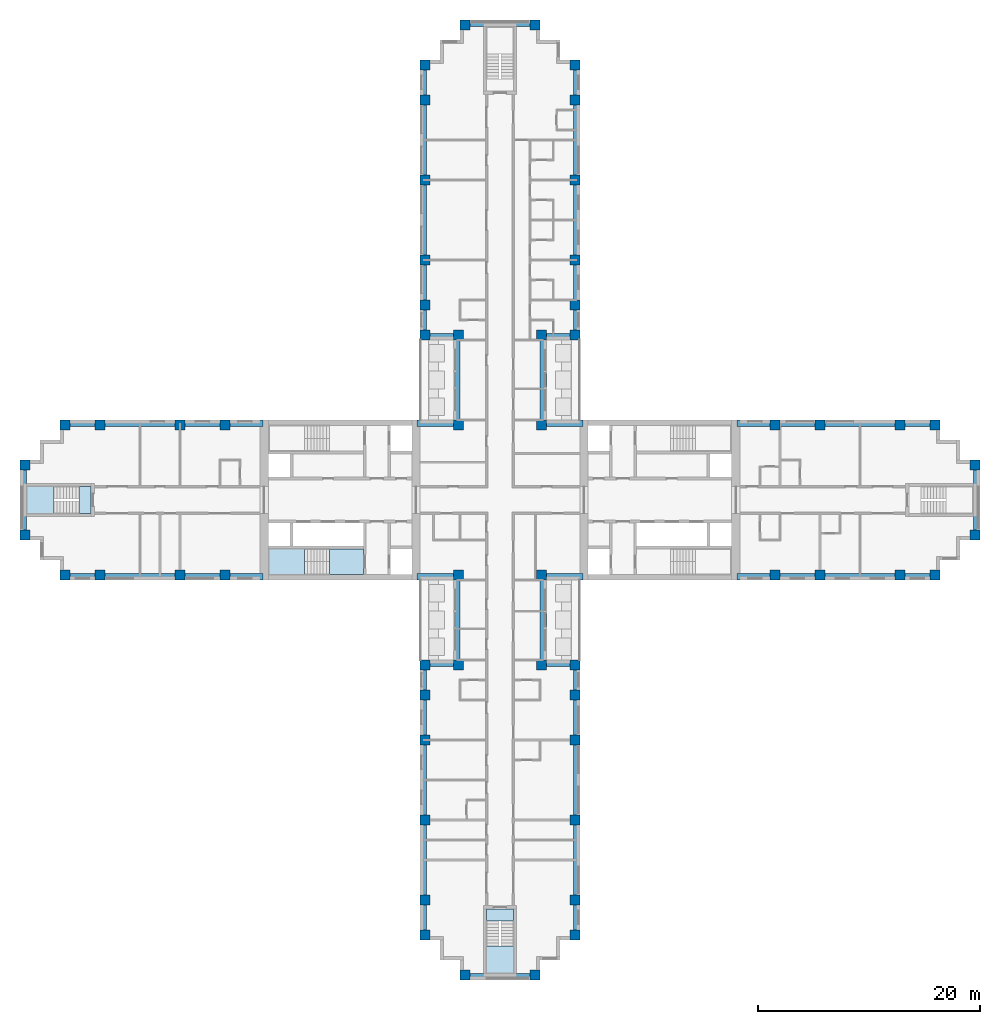
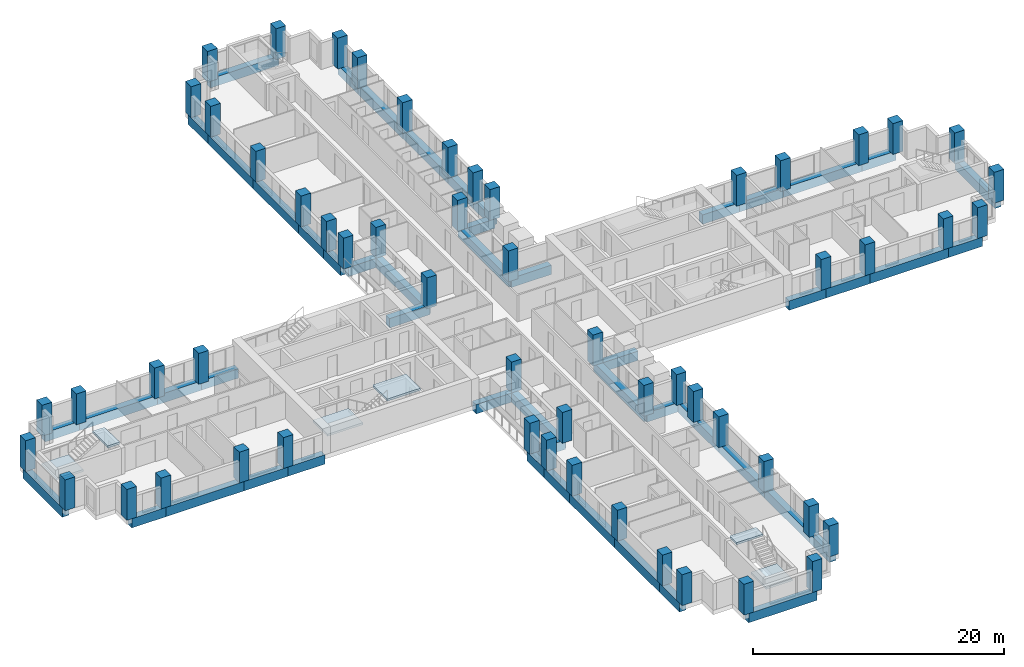
# One storey, part 1 of 15: 56 columns, 52 beams, 6 slabs, 3 elements without a shape of their own.
"""IFC4 building model written with IfcOpenShell, lengths in metres."""

from ifc_helpers import new_model, si_unit, direction, frame, origin, origin_2d, place, context, subcontext, project, spatial, polyline, rectangle, outline, extrude, material, layer, layer_set, material_profile, profile_set, type_object, element, aggregate, save


model = new_model("IFC4")

# Units and contexts
model_context = context("Model", 3, precision=1e-05, world=origin(), true_north=direction((0.0, 1.0)))
body_context = subcontext(model_context, "Body", "Model", "MODEL_VIEW")
ifc_project = project(units=[si_unit("LENGTHUNIT", "METRE"), si_unit("AREAUNIT", "SQUARE_METRE"), si_unit("VOLUMEUNIT", "CUBIC_METRE"), si_unit("PLANEANGLEUNIT", "RADIAN"), si_unit("MASSUNIT", "GRAM", prefix="KILO")], contexts=[model_context])

# Site, building, storey
site_placement = place(None, origin())
site = spatial("IfcSite", under=ifc_project, at=site_placement, CompositionType="ELEMENT")
building_placement = place(site_placement, origin())
building = spatial("IfcBuilding", under=site, at=building_placement, Name="Fustian Cross Tower", CompositionType="ELEMENT")
storey_placement = place(building_placement, frame((0.0, 0.0, 41.699951171875)))
storey = spatial("IfcBuildingStorey", under=building, at=storey_placement, Name="L12", CompositionType="ELEMENT", Elevation=41.699951171875)

# Columns
ifc_material_1 = material(Name="Concrete C70/85", Category="concrete")
ifc_material_profile_1 = material_profile(ifc_material_1, rectangle(XDim=0.89990234375, YDim=0.89990234375, at=origin_2d()), Name="RC 900x900")
ifc_profile_set_1 = profile_set([ifc_material_profile_1], Name="Concrete C70/85")
column_type = type_object("IfcColumnType", Name="COLUMN RC 900x900 C70/85", PredefinedType="COLUMN", material=ifc_profile_set_1)
for number, where, z_axis, x_axis, name in (
    (1, (-42.75, -3.14990234375, 0.0), (0.0, 0.0, 1.0), (1.0, 0.0, 0.0), "COLUMN 001"),
    (2, (-42.75, 3.14990234375, 0.0), (0.0, 0.0, 1.0), (1.0, 0.0, 0.0), "COLUMN 002"),
    (3, (-39.14990234375, -6.75, 0.0), (0.0, 0.0, 1.0), (1.0, 0.0, 0.0), "COLUMN 003"),
    (4, (-39.14990234375, 6.75, 0.0), (0.0, 0.0, 1.0), (1.0, 0.0, 0.0), "COLUMN 004"),
    (5, (-36.0, -6.75, 0.0), (0.0, 0.0, 1.0), (1.0, 0.0, 0.0), "COLUMN 005"),
    (6, (-36.0, 6.75, 0.0), (0.0, 0.0, 1.0), (1.0, 0.0, 0.0), "COLUMN 006"),
    (7, (-28.800048828125, -6.75, 0.0), (0.0, 0.0, 1.0), (1.0, 0.0, 0.0), "COLUMN 007"),
    (8, (-28.800048828125, 6.75, 0.0), (0.0, 0.0, 1.0), (1.0, 0.0, 0.0), "COLUMN 010"),
    (9, (-24.75, -6.75, 0.0), (0.0, 0.0, 1.0), (1.0, 0.0, 0.0), "COLUMN 011"),
    (10, (-24.75, 6.75, 0.0), (0.0, 0.0, 1.0), (1.0, 0.0, 0.0), "COLUMN 012"),
    (11, (-6.75, -39.14990234375, 0.0), (0.0, 0.0, 1.0), (1.0, 0.0, 0.0), "COLUMN 013"),
    (12, (-6.75, -36.0, 0.0), (0.0, 0.0, 1.0), (1.0, 0.0, 0.0), "COLUMN 014"),
    (13, (-6.75, -28.800048828125, 0.0), (0.0, 0.0, 1.0), (1.0, 0.0, 0.0), "COLUMN 015"),
    (14, (-6.75, -21.60009765625, 0.0), (0.0, 0.0, 1.0), (1.0, 0.0, 0.0), "COLUMN 016"),
    (15, (-6.75, -17.550048828125, 0.0), (0.0, 0.0, 1.0), (1.0, 0.0, 0.0), "COLUMN 017"),
    (16, (-6.75, -14.85009765625, 0.0), (0.0, 0.0, 1.0), (1.0, 0.0, 0.0), "COLUMN 018"),
    (17, (-6.75, 14.85009765625, 0.0), (0.0, 0.0, 1.0), (1.0, 0.0, 0.0), "COLUMN 019"),
    (18, (-6.75, 17.550048828125, 0.0), (0.0, 0.0, 1.0), (1.0, 0.0, 0.0), "COLUMN 020"),
    (19, (-6.75, 21.60009765625, 0.0), (0.0, 0.0, 1.0), (1.0, 0.0, 0.0), "COLUMN 021"),
    (20, (-6.75, 28.800048828125, 0.0), (0.0, 0.0, 1.0), (1.0, 0.0, 0.0), "COLUMN 022"),
    (21, (-6.75, 36.0, 0.0), (0.0, 0.0, 1.0), (1.0, 0.0, 0.0), "COLUMN 023"),
    (22, (-6.75, 39.14990234375, 0.0), (0.0, 0.0, 1.0), (1.0, 0.0, 0.0), "COLUMN 024"),
    (23, (-3.75, -14.85009765625, 0.0), (0.0, 0.0, 1.0), (1.0, 0.0, 0.0), "COLUMN 025"),
    (24, (-3.75, -6.75, 0.0), (0.0, 0.0, 1.0), (1.0, 0.0, 0.0), "COLUMN 026"),
    (25, (-3.75, 6.75, 0.0), (0.0, 0.0, 1.0), (1.0, 0.0, 0.0), "COLUMN 027"),
    (26, (-3.75, 14.85009765625, 0.0), (0.0, 0.0, 1.0), (1.0, 0.0, 0.0), "COLUMN 028"),
    (27, (-3.14990234375, -42.75, 0.0), (0.0, 0.0, 1.0), (1.0, 0.0, 0.0), "COLUMN 029"),
    (28, (-3.14990234375, 42.75, 0.0), (0.0, 0.0, 1.0), (1.0, 0.0, 0.0), "COLUMN 032"),
    (29, (3.14990234375, -42.75, 0.0), (0.0, 0.0, 1.0), (1.0, 0.0, 0.0), "COLUMN 033"),
    (30, (3.14990234375, 42.75, 0.0), (0.0, 0.0, 1.0), (1.0, 0.0, 0.0), "COLUMN 036"),
    (31, (3.75, -14.85009765625, 0.0), (0.0, 0.0, 1.0), (1.0, 0.0, 0.0), "COLUMN 037"),
    (32, (3.75, -6.75, 0.0), (0.0, 0.0, 1.0), (1.0, 0.0, 0.0), "COLUMN 038"),
    (33, (3.75, 6.75, 0.0), (0.0, 0.0, 1.0), (1.0, 0.0, 0.0), "COLUMN 039"),
    (34, (3.75, 14.85009765625, 0.0), (0.0, 0.0, 1.0), (1.0, 0.0, 0.0), "COLUMN 040"),
    (35, (6.75, -39.14990234375, 0.0), (0.0, 0.0, 1.0), (1.0, 0.0, 0.0), "COLUMN 041"),
    (36, (6.75, -36.0, 0.0), (0.0, 0.0, 1.0), (1.0, 0.0, 0.0), "COLUMN 042"),
    (37, (6.75, -28.800048828125, 0.0), (0.0, 0.0, 1.0), (1.0, 0.0, 0.0), "COLUMN 043"),
    (38, (6.75, -21.60009765625, 0.0), (0.0, 0.0, 1.0), (1.0, 0.0, 0.0), "COLUMN 044"),
    (39, (6.75, -17.550048828125, 0.0), (0.0, 0.0, 1.0), (1.0, 0.0, 0.0), "COLUMN 045"),
    (40, (6.75, -14.85009765625, 0.0), (0.0, 0.0, 1.0), (1.0, 0.0, 0.0), "COLUMN 046"),
    (41, (6.75, 14.85009765625, 0.0), (0.0, 0.0, 1.0), (1.0, 0.0, 0.0), "COLUMN 047"),
    (42, (6.75, 17.550048828125, 0.0), (0.0, 0.0, 1.0), (1.0, 0.0, 0.0), "COLUMN 048"),
    (43, (6.75, 21.60009765625, 0.0), (0.0, 0.0, 1.0), (1.0, 0.0, 0.0), "COLUMN 049"),
    (44, (6.75, 28.800048828125, 0.0), (0.0, 0.0, 1.0), (1.0, 0.0, 0.0), "COLUMN 050"),
    (45, (6.75, 36.0, 0.0), (0.0, 0.0, 1.0), (1.0, 0.0, 0.0), "COLUMN 051"),
    (46, (6.75, 39.14990234375, 0.0), (0.0, 0.0, 1.0), (1.0, 0.0, 0.0), "COLUMN 052"),
    (47, (24.75, -6.75, 0.0), (0.0, 0.0, 1.0), (1.0, 0.0, 0.0), "COLUMN 053"),
    (48, (24.75, 6.75, 0.0), (0.0, 0.0, 1.0), (1.0, 0.0, 0.0), "COLUMN 054"),
    (49, (28.800048828125, -6.75, 0.0), (0.0, 0.0, 1.0), (1.0, 0.0, 0.0), "COLUMN 055"),
    (50, (28.800048828125, 6.75, 0.0), (0.0, 0.0, 1.0), (1.0, 0.0, 0.0), "COLUMN 058"),
    (51, (36.0, -6.75, 0.0), (0.0, 0.0, 1.0), (1.0, 0.0, 0.0), "COLUMN 059"),
    (52, (36.0, 6.75, 0.0), (0.0, 0.0, 1.0), (1.0, 0.0, 0.0), "COLUMN 060"),
    (53, (39.14990234375, -6.75, 0.0), (0.0, 0.0, 1.0), (1.0, 0.0, 0.0), "COLUMN 061"),
    (54, (39.14990234375, 6.75, 0.0), (0.0, 0.0, 1.0), (1.0, 0.0, 0.0), "COLUMN 062"),
    (55, (42.75, -3.14990234375, 0.0), (0.0, 0.0, 1.0), (1.0, 0.0, 0.0), "COLUMN 063"),
    (56, (42.75, 3.14990234375, 0.0), (0.0, 0.0, 1.0), (1.0, 0.0, 0.0), "COLUMN 064"),
):
    element("IfcColumn", number, at=place(storey_placement, frame(where, z_axis=z_axis, x_axis=x_axis)), inside=storey, type_object=column_type, Name=name, PredefinedType="COLUMN", context=body_context, shape_type="SweptSolid", body=[
        extrude(rectangle(XDim=0.89990234375, YDim=0.89990234375, at=origin_2d()), origin(), (0.0, 0.0, 1.0), 3.0),
    ])

# Beams
ifc_material_2 = material(Name="Concrete C50/60", Category="concrete")
ifc_material_profile_2 = material_profile(ifc_material_2, rectangle(XDim=0.60009765625, YDim=0.89990234375, at=origin_2d()), Name="RC 600x900")
ifc_profile_set_2 = profile_set([ifc_material_profile_2], Name="Concrete C50/60")
beam_type = type_object("IfcBeamType", Name="EDGE BEAM RC 600x900 C50/60", PredefinedType="SPANDREL", material=ifc_profile_set_2)
beam_1_placement = place(storey_placement, frame((21.35009765625, -6.89990234375, -0.449951171875), z_axis=(1.0, 0.0, 0.0), x_axis=(0.0, 1.0, 0.0)))
element("IfcBeam", 57, at=beam_1_placement, inside=storey, type_object=beam_type, Name="EDGE BEAM L12-01", PredefinedType="SPANDREL", context=body_context, shape_type="SweptSolid", body=[
    extrude(rectangle(XDim=0.60009765625, YDim=0.89990234375, at=origin_2d()), origin(), (0.0, 0.0, 1.0), 3.39990234375),
])
beam_2_placement = place(storey_placement, frame((24.75, -6.89990234375, -0.449951171875), z_axis=(1.0, 0.0, 0.0), x_axis=(0.0, 1.0, 0.0)))
element("IfcBeam", 58, at=beam_2_placement, inside=storey, type_object=beam_type, Name="EDGE BEAM L12-02", PredefinedType="SPANDREL", context=body_context, shape_type="SweptSolid", body=[
    extrude(rectangle(XDim=0.60009765625, YDim=0.89990234375, at=origin_2d()), origin(), (0.0, 0.0, 1.0), 4.050048828125),
])
beam_3_placement = place(storey_placement, frame((28.800048828125, -6.89990234375, -0.449951171875), z_axis=(1.0, 0.0, 0.0), x_axis=(0.0, 1.0, 0.0)))
element("IfcBeam", 59, at=beam_3_placement, inside=storey, type_object=beam_type, Name="EDGE BEAM L12-03", PredefinedType="SPANDREL", context=body_context, shape_type="SweptSolid", body=[
    extrude(rectangle(XDim=0.60009765625, YDim=0.89990234375, at=origin_2d()), origin(), (0.0, 0.0, 1.0), 7.199951171875),
])
beam_4_placement = place(storey_placement, frame((36.0, -6.89990234375, -0.449951171875), z_axis=(1.0, 0.0, 0.0), x_axis=(0.0, 1.0, 0.0)))
element("IfcBeam", 60, at=beam_4_placement, inside=storey, type_object=beam_type, Name="EDGE BEAM L12-04", PredefinedType="SPANDREL", context=body_context, shape_type="SweptSolid", body=[
    extrude(rectangle(XDim=0.60009765625, YDim=0.89990234375, at=origin_2d()), origin(), (0.0, 0.0, 1.0), 3.14990234375),
])
beam_5_placement = place(storey_placement, frame((42.89990234375, -3.14990234375, -0.449951171875), z_axis=(0.0, 1.0, 0.0), x_axis=(-1.0, 0.0, 0.0)))
element("IfcBeam", 61, at=beam_5_placement, inside=storey, type_object=beam_type, Name="EDGE BEAM L12-05", PredefinedType="SPANDREL", context=body_context, shape_type="SweptSolid", body=[
    extrude(rectangle(XDim=0.60009765625, YDim=0.89990234375, at=origin_2d()), origin(), (0.0, 0.0, 1.0), 6.2998046875),
])
beam_6_placement = place(storey_placement, frame((39.14990234375, 6.89990234375, -0.449951171875), z_axis=(-1.0, 0.0, 0.0), x_axis=(0.0, -1.0, 0.0)))
element("IfcBeam", 62, at=beam_6_placement, inside=storey, type_object=beam_type, Name="EDGE BEAM L12-06", PredefinedType="SPANDREL", context=body_context, shape_type="SweptSolid", body=[
    extrude(rectangle(XDim=0.60009765625, YDim=0.89990234375, at=origin_2d()), origin(), (0.0, 0.0, 1.0), 3.14990234375),
])
beam_7_placement = place(storey_placement, frame((36.0, 6.89990234375, -0.449951171875), z_axis=(-1.0, 0.0, 0.0), x_axis=(0.0, -1.0, 0.0)))
element("IfcBeam", 63, at=beam_7_placement, inside=storey, type_object=beam_type, Name="EDGE BEAM L12-07", PredefinedType="SPANDREL", context=body_context, shape_type="SweptSolid", body=[
    extrude(rectangle(XDim=0.60009765625, YDim=0.89990234375, at=origin_2d()), origin(), (0.0, 0.0, 1.0), 7.199951171875),
])
beam_8_placement = place(storey_placement, frame((28.800048828125, 6.89990234375, -0.449951171875), z_axis=(-1.0, 0.0, 0.0), x_axis=(0.0, -1.0, 0.0)))
element("IfcBeam", 64, at=beam_8_placement, inside=storey, type_object=beam_type, Name="EDGE BEAM L12-08", PredefinedType="SPANDREL", context=body_context, shape_type="SweptSolid", body=[
    extrude(rectangle(XDim=0.60009765625, YDim=0.89990234375, at=origin_2d()), origin(), (0.0, 0.0, 1.0), 4.050048828125),
])
beam_9_placement = place(storey_placement, frame((24.75, 6.89990234375, -0.449951171875), z_axis=(-1.0, 0.0, 0.0), x_axis=(0.0, -1.0, 0.0)))
element("IfcBeam", 65, at=beam_9_placement, inside=storey, type_object=beam_type, Name="EDGE BEAM L12-09", PredefinedType="SPANDREL", context=body_context, shape_type="SweptSolid", body=[
    extrude(rectangle(XDim=0.60009765625, YDim=0.89990234375, at=origin_2d()), origin(), (0.0, 0.0, 1.0), 3.39990234375),
])
beam_10_placement = place(storey_placement, frame((7.449951171875, 6.89990234375, -0.449951171875), z_axis=(-1.0, 0.0, 0.0), x_axis=(0.0, -1.0, 0.0)))
element("IfcBeam", 66, at=beam_10_placement, inside=storey, type_object=beam_type, Name="EDGE BEAM L12-10", PredefinedType="SPANDREL", context=body_context, shape_type="SweptSolid", body=[
    extrude(rectangle(XDim=0.60009765625, YDim=0.89990234375, at=origin_2d()), origin(), (0.0, 0.0, 1.0), 3.699951171875),
])
beam_11_placement = place(storey_placement, frame((3.89990234375, 6.75, -0.449951171875), z_axis=(0.0, 1.0, 0.0), x_axis=(-1.0, 0.0, 0.0)))
element("IfcBeam", 67, at=beam_11_placement, inside=storey, type_object=beam_type, Name="EDGE BEAM L12-11", PredefinedType="SPANDREL", context=body_context, shape_type="SweptSolid", body=[
    extrude(rectangle(XDim=0.60009765625, YDim=0.89990234375, at=origin_2d()), origin(), (0.0, 0.0, 1.0), 8.10009765625),
])
beam_12_placement = place(storey_placement, frame((3.75, 14.699951171875, -0.449951171875), z_axis=(1.0, 0.0, 0.0), x_axis=(0.0, 1.0, 0.0)))
element("IfcBeam", 68, at=beam_12_placement, inside=storey, type_object=beam_type, Name="EDGE BEAM L12-12", PredefinedType="SPANDREL", context=body_context, shape_type="SweptSolid", body=[
    extrude(rectangle(XDim=0.60009765625, YDim=0.89990234375, at=origin_2d()), origin(), (0.0, 0.0, 1.0), 3.0),
])
beam_13_placement = place(storey_placement, frame((6.89990234375, 14.85009765625, -0.449951171875), z_axis=(0.0, 1.0, 0.0), x_axis=(-1.0, 0.0, 0.0)))
element("IfcBeam", 69, at=beam_13_placement, inside=storey, type_object=beam_type, Name="EDGE BEAM L12-13", PredefinedType="SPANDREL", context=body_context, shape_type="SweptSolid", body=[
    extrude(rectangle(XDim=0.60009765625, YDim=0.89990234375, at=origin_2d()), origin(), (0.0, 0.0, 1.0), 2.699951171875),
])
beam_14_placement = place(storey_placement, frame((6.89990234375, 17.550048828125, -0.449951171875), z_axis=(0.0, 1.0, 0.0), x_axis=(-1.0, 0.0, 0.0)))
element("IfcBeam", 70, at=beam_14_placement, inside=storey, type_object=beam_type, Name="EDGE BEAM L12-14", PredefinedType="SPANDREL", context=body_context, shape_type="SweptSolid", body=[
    extrude(rectangle(XDim=0.60009765625, YDim=0.89990234375, at=origin_2d()), origin(), (0.0, 0.0, 1.0), 4.050048828125),
])
for number, where, z_axis, x_axis, name in (
    (71, (6.89990234375, 21.60009765625, -0.449951171875), (0.0, 1.0, 0.0), (-1.0, 0.0, 0.0), "EDGE BEAM L12-15"),
    (72, (6.89990234375, 28.800048828125, -0.449951171875), (0.0, 1.0, 0.0), (-1.0, 0.0, 0.0), "EDGE BEAM L12-16"),
):
    element("IfcBeam", number, at=place(storey_placement, frame(where, z_axis=z_axis, x_axis=x_axis)), inside=storey, type_object=beam_type, Name=name, PredefinedType="SPANDREL", context=body_context, shape_type="SweptSolid", body=[
        extrude(rectangle(XDim=0.60009765625, YDim=0.89990234375, at=origin_2d()), origin(), (0.0, 0.0, 1.0), 7.199951171875),
    ])
beam_15_placement = place(storey_placement, frame((6.89990234375, 36.0, -0.449951171875), z_axis=(0.0, 1.0, 0.0), x_axis=(-1.0, 0.0, 0.0)))
element("IfcBeam", 73, at=beam_15_placement, inside=storey, type_object=beam_type, Name="EDGE BEAM L12-17", PredefinedType="SPANDREL", context=body_context, shape_type="SweptSolid", body=[
    extrude(rectangle(XDim=0.60009765625, YDim=0.89990234375, at=origin_2d()), origin(), (0.0, 0.0, 1.0), 3.14990234375),
])
beam_16_placement = place(storey_placement, frame((3.14990234375, 42.89990234375, -0.449951171875), z_axis=(-1.0, 0.0, 0.0), x_axis=(0.0, -1.0, 0.0)))
element("IfcBeam", 74, at=beam_16_placement, inside=storey, type_object=beam_type, Name="EDGE BEAM L12-18", PredefinedType="SPANDREL", context=body_context, shape_type="SweptSolid", body=[
    extrude(rectangle(XDim=0.60009765625, YDim=0.89990234375, at=origin_2d()), origin(), (0.0, 0.0, 1.0), 6.2998046875),
])
beam_17_placement = place(storey_placement, frame((-6.89990234375, 39.14990234375, -0.449951171875), z_axis=(0.0, -1.0, 0.0), x_axis=(1.0, 0.0, 0.0)))
element("IfcBeam", 75, at=beam_17_placement, inside=storey, type_object=beam_type, Name="EDGE BEAM L12-19", PredefinedType="SPANDREL", context=body_context, shape_type="SweptSolid", body=[
    extrude(rectangle(XDim=0.60009765625, YDim=0.89990234375, at=origin_2d()), origin(), (0.0, 0.0, 1.0), 3.14990234375),
])
for number, where, z_axis, x_axis, name in (
    (76, (-6.89990234375, 36.0, -0.449951171875), (0.0, -1.0, 0.0), (1.0, 0.0, 0.0), "EDGE BEAM L12-20"),
    (77, (-6.89990234375, 28.800048828125, -0.449951171875), (0.0, -1.0, 0.0), (1.0, 0.0, 0.0), "EDGE BEAM L12-21"),
):
    element("IfcBeam", number, at=place(storey_placement, frame(where, z_axis=z_axis, x_axis=x_axis)), inside=storey, type_object=beam_type, Name=name, PredefinedType="SPANDREL", context=body_context, shape_type="SweptSolid", body=[
        extrude(rectangle(XDim=0.60009765625, YDim=0.89990234375, at=origin_2d()), origin(), (0.0, 0.0, 1.0), 7.199951171875),
    ])
beam_18_placement = place(storey_placement, frame((-6.89990234375, 21.60009765625, -0.449951171875), z_axis=(0.0, -1.0, 0.0), x_axis=(1.0, 0.0, 0.0)))
element("IfcBeam", 78, at=beam_18_placement, inside=storey, type_object=beam_type, Name="EDGE BEAM L12-22", PredefinedType="SPANDREL", context=body_context, shape_type="SweptSolid", body=[
    extrude(rectangle(XDim=0.60009765625, YDim=0.89990234375, at=origin_2d()), origin(), (0.0, 0.0, 1.0), 4.050048828125),
])
beam_19_placement = place(storey_placement, frame((-6.89990234375, 17.550048828125, -0.449951171875), z_axis=(0.0, -1.0, 0.0), x_axis=(1.0, 0.0, 0.0)))
element("IfcBeam", 79, at=beam_19_placement, inside=storey, type_object=beam_type, Name="EDGE BEAM L12-23", PredefinedType="SPANDREL", context=body_context, shape_type="SweptSolid", body=[
    extrude(rectangle(XDim=0.60009765625, YDim=0.89990234375, at=origin_2d()), origin(), (0.0, 0.0, 1.0), 2.699951171875),
])
beam_20_placement = place(storey_placement, frame((-6.75, 14.699951171875, -0.449951171875), z_axis=(1.0, 0.0, 0.0), x_axis=(0.0, 1.0, 0.0)))
element("IfcBeam", 80, at=beam_20_placement, inside=storey, type_object=beam_type, Name="EDGE BEAM L12-24", PredefinedType="SPANDREL", context=body_context, shape_type="SweptSolid", body=[
    extrude(rectangle(XDim=0.60009765625, YDim=0.89990234375, at=origin_2d()), origin(), (0.0, 0.0, 1.0), 3.0),
])
beam_21_placement = place(storey_placement, frame((-3.89990234375, 14.85009765625, -0.449951171875), z_axis=(0.0, -1.0, 0.0), x_axis=(1.0, 0.0, 0.0)))
element("IfcBeam", 81, at=beam_21_placement, inside=storey, type_object=beam_type, Name="EDGE BEAM L12-25", PredefinedType="SPANDREL", context=body_context, shape_type="SweptSolid", body=[
    extrude(rectangle(XDim=0.60009765625, YDim=0.89990234375, at=origin_2d()), origin(), (0.0, 0.0, 1.0), 8.10009765625),
])
beam_22_placement = place(storey_placement, frame((-3.75, 6.89990234375, -0.449951171875), z_axis=(-1.0, 0.0, 0.0), x_axis=(0.0, -1.0, 0.0)))
element("IfcBeam", 82, at=beam_22_placement, inside=storey, type_object=beam_type, Name="EDGE BEAM L12-26", PredefinedType="SPANDREL", context=body_context, shape_type="SweptSolid", body=[
    extrude(rectangle(XDim=0.60009765625, YDim=0.89990234375, at=origin_2d()), origin(), (0.0, 0.0, 1.0), 3.699951171875),
])
beam_23_placement = place(storey_placement, frame((-21.35009765625, 6.89990234375, -0.449951171875), z_axis=(-1.0, 0.0, 0.0), x_axis=(0.0, -1.0, 0.0)))
element("IfcBeam", 83, at=beam_23_placement, inside=storey, type_object=beam_type, Name="EDGE BEAM L12-27", PredefinedType="SPANDREL", context=body_context, shape_type="SweptSolid", body=[
    extrude(rectangle(XDim=0.60009765625, YDim=0.89990234375, at=origin_2d()), origin(), (0.0, 0.0, 1.0), 3.39990234375),
])
beam_24_placement = place(storey_placement, frame((-24.75, 6.89990234375, -0.449951171875), z_axis=(-1.0, 0.0, 0.0), x_axis=(0.0, -1.0, 0.0)))
element("IfcBeam", 84, at=beam_24_placement, inside=storey, type_object=beam_type, Name="EDGE BEAM L12-28", PredefinedType="SPANDREL", context=body_context, shape_type="SweptSolid", body=[
    extrude(rectangle(XDim=0.60009765625, YDim=0.89990234375, at=origin_2d()), origin(), (0.0, 0.0, 1.0), 4.050048828125),
])
beam_25_placement = place(storey_placement, frame((-28.800048828125, 6.89990234375, -0.449951171875), z_axis=(-1.0, 0.0, 0.0), x_axis=(0.0, -1.0, 0.0)))
element("IfcBeam", 85, at=beam_25_placement, inside=storey, type_object=beam_type, Name="EDGE BEAM L12-29", PredefinedType="SPANDREL", context=body_context, shape_type="SweptSolid", body=[
    extrude(rectangle(XDim=0.60009765625, YDim=0.89990234375, at=origin_2d()), origin(), (0.0, 0.0, 1.0), 7.199951171875),
])
beam_26_placement = place(storey_placement, frame((-36.0, 6.89990234375, -0.449951171875), z_axis=(-1.0, 0.0, 0.0), x_axis=(0.0, -1.0, 0.0)))
element("IfcBeam", 86, at=beam_26_placement, inside=storey, type_object=beam_type, Name="EDGE BEAM L12-30", PredefinedType="SPANDREL", context=body_context, shape_type="SweptSolid", body=[
    extrude(rectangle(XDim=0.60009765625, YDim=0.89990234375, at=origin_2d()), origin(), (0.0, 0.0, 1.0), 3.14990234375),
])
beam_27_placement = place(storey_placement, frame((-42.89990234375, 3.14990234375, -0.449951171875), z_axis=(0.0, -1.0, 0.0), x_axis=(1.0, 0.0, 0.0)))
element("IfcBeam", 87, at=beam_27_placement, inside=storey, type_object=beam_type, Name="EDGE BEAM L12-31", PredefinedType="SPANDREL", context=body_context, shape_type="SweptSolid", body=[
    extrude(rectangle(XDim=0.60009765625, YDim=0.89990234375, at=origin_2d()), origin(), (0.0, 0.0, 1.0), 6.2998046875),
])
beam_28_placement = place(storey_placement, frame((-39.14990234375, -6.89990234375, -0.449951171875), z_axis=(1.0, 0.0, 0.0), x_axis=(0.0, 1.0, 0.0)))
element("IfcBeam", 88, at=beam_28_placement, inside=storey, type_object=beam_type, Name="EDGE BEAM L12-32", PredefinedType="SPANDREL", context=body_context, shape_type="SweptSolid", body=[
    extrude(rectangle(XDim=0.60009765625, YDim=0.89990234375, at=origin_2d()), origin(), (0.0, 0.0, 1.0), 3.14990234375),
])
beam_29_placement = place(storey_placement, frame((-36.0, -6.89990234375, -0.449951171875), z_axis=(1.0, 0.0, 0.0), x_axis=(0.0, 1.0, 0.0)))
element("IfcBeam", 89, at=beam_29_placement, inside=storey, type_object=beam_type, Name="EDGE BEAM L12-33", PredefinedType="SPANDREL", context=body_context, shape_type="SweptSolid", body=[
    extrude(rectangle(XDim=0.60009765625, YDim=0.89990234375, at=origin_2d()), origin(), (0.0, 0.0, 1.0), 7.199951171875),
])
beam_30_placement = place(storey_placement, frame((-28.800048828125, -6.89990234375, -0.449951171875), z_axis=(1.0, 0.0, 0.0), x_axis=(0.0, 1.0, 0.0)))
element("IfcBeam", 90, at=beam_30_placement, inside=storey, type_object=beam_type, Name="EDGE BEAM L12-34", PredefinedType="SPANDREL", context=body_context, shape_type="SweptSolid", body=[
    extrude(rectangle(XDim=0.60009765625, YDim=0.89990234375, at=origin_2d()), origin(), (0.0, 0.0, 1.0), 4.050048828125),
])
beam_31_placement = place(storey_placement, frame((-24.75, -6.89990234375, -0.449951171875), z_axis=(1.0, 0.0, 0.0), x_axis=(0.0, 1.0, 0.0)))
element("IfcBeam", 91, at=beam_31_placement, inside=storey, type_object=beam_type, Name="EDGE BEAM L12-35", PredefinedType="SPANDREL", context=body_context, shape_type="SweptSolid", body=[
    extrude(rectangle(XDim=0.60009765625, YDim=0.89990234375, at=origin_2d()), origin(), (0.0, 0.0, 1.0), 3.39990234375),
])
beam_32_placement = place(storey_placement, frame((-7.449951171875, -6.89990234375, -0.449951171875), z_axis=(1.0, 0.0, 0.0), x_axis=(0.0, 1.0, 0.0)))
element("IfcBeam", 92, at=beam_32_placement, inside=storey, type_object=beam_type, Name="EDGE BEAM L12-36", PredefinedType="SPANDREL", context=body_context, shape_type="SweptSolid", body=[
    extrude(rectangle(XDim=0.60009765625, YDim=0.89990234375, at=origin_2d()), origin(), (0.0, 0.0, 1.0), 3.699951171875),
])
beam_33_placement = place(storey_placement, frame((-3.89990234375, -6.75, -0.449951171875), z_axis=(0.0, -1.0, 0.0), x_axis=(1.0, 0.0, 0.0)))
element("IfcBeam", 93, at=beam_33_placement, inside=storey, type_object=beam_type, Name="EDGE BEAM L12-37", PredefinedType="SPANDREL", context=body_context, shape_type="SweptSolid", body=[
    extrude(rectangle(XDim=0.60009765625, YDim=0.89990234375, at=origin_2d()), origin(), (0.0, 0.0, 1.0), 8.10009765625),
])
beam_34_placement = place(storey_placement, frame((-3.75, -14.699951171875, -0.449951171875), z_axis=(-1.0, 0.0, 0.0), x_axis=(0.0, -1.0, 0.0)))
element("IfcBeam", 94, at=beam_34_placement, inside=storey, type_object=beam_type, Name="EDGE BEAM L12-38", PredefinedType="SPANDREL", context=body_context, shape_type="SweptSolid", body=[
    extrude(rectangle(XDim=0.60009765625, YDim=0.89990234375, at=origin_2d()), origin(), (0.0, 0.0, 1.0), 3.0),
])
beam_35_placement = place(storey_placement, frame((-6.89990234375, -14.85009765625, -0.449951171875), z_axis=(0.0, -1.0, 0.0), x_axis=(1.0, 0.0, 0.0)))
element("IfcBeam", 95, at=beam_35_placement, inside=storey, type_object=beam_type, Name="EDGE BEAM L12-39", PredefinedType="SPANDREL", context=body_context, shape_type="SweptSolid", body=[
    extrude(rectangle(XDim=0.60009765625, YDim=0.89990234375, at=origin_2d()), origin(), (0.0, 0.0, 1.0), 2.699951171875),
])
beam_36_placement = place(storey_placement, frame((-6.89990234375, -17.550048828125, -0.449951171875), z_axis=(0.0, -1.0, 0.0), x_axis=(1.0, 0.0, 0.0)))
element("IfcBeam", 96, at=beam_36_placement, inside=storey, type_object=beam_type, Name="EDGE BEAM L12-40", PredefinedType="SPANDREL", context=body_context, shape_type="SweptSolid", body=[
    extrude(rectangle(XDim=0.60009765625, YDim=0.89990234375, at=origin_2d()), origin(), (0.0, 0.0, 1.0), 4.050048828125),
])
for number, where, z_axis, x_axis, name in (
    (97, (-6.89990234375, -21.60009765625, -0.449951171875), (0.0, -1.0, 0.0), (1.0, 0.0, 0.0), "EDGE BEAM L12-41"),
    (98, (-6.89990234375, -28.800048828125, -0.449951171875), (0.0, -1.0, 0.0), (1.0, 0.0, 0.0), "EDGE BEAM L12-42"),
):
    element("IfcBeam", number, at=place(storey_placement, frame(where, z_axis=z_axis, x_axis=x_axis)), inside=storey, type_object=beam_type, Name=name, PredefinedType="SPANDREL", context=body_context, shape_type="SweptSolid", body=[
        extrude(rectangle(XDim=0.60009765625, YDim=0.89990234375, at=origin_2d()), origin(), (0.0, 0.0, 1.0), 7.199951171875),
    ])
beam_37_placement = place(storey_placement, frame((-6.89990234375, -36.0, -0.449951171875), z_axis=(0.0, -1.0, 0.0), x_axis=(1.0, 0.0, 0.0)))
element("IfcBeam", 99, at=beam_37_placement, inside=storey, type_object=beam_type, Name="EDGE BEAM L12-43", PredefinedType="SPANDREL", context=body_context, shape_type="SweptSolid", body=[
    extrude(rectangle(XDim=0.60009765625, YDim=0.89990234375, at=origin_2d()), origin(), (0.0, 0.0, 1.0), 3.14990234375),
])
beam_38_placement = place(storey_placement, frame((-3.14990234375, -42.89990234375, -0.449951171875), z_axis=(1.0, 0.0, 0.0), x_axis=(0.0, 1.0, 0.0)))
element("IfcBeam", 100, at=beam_38_placement, inside=storey, type_object=beam_type, Name="EDGE BEAM L12-44", PredefinedType="SPANDREL", context=body_context, shape_type="SweptSolid", body=[
    extrude(rectangle(XDim=0.60009765625, YDim=0.89990234375, at=origin_2d()), origin(), (0.0, 0.0, 1.0), 6.2998046875),
])
beam_39_placement = place(storey_placement, frame((6.89990234375, -39.14990234375, -0.449951171875), z_axis=(0.0, 1.0, 0.0), x_axis=(-1.0, 0.0, 0.0)))
element("IfcBeam", 101, at=beam_39_placement, inside=storey, type_object=beam_type, Name="EDGE BEAM L12-45", PredefinedType="SPANDREL", context=body_context, shape_type="SweptSolid", body=[
    extrude(rectangle(XDim=0.60009765625, YDim=0.89990234375, at=origin_2d()), origin(), (0.0, 0.0, 1.0), 3.14990234375),
])
for number, where, z_axis, x_axis, name in (
    (102, (6.89990234375, -36.0, -0.449951171875), (0.0, 1.0, 0.0), (-1.0, 0.0, 0.0), "EDGE BEAM L12-46"),
    (103, (6.89990234375, -28.800048828125, -0.449951171875), (0.0, 1.0, 0.0), (-1.0, 0.0, 0.0), "EDGE BEAM L12-47"),
):
    element("IfcBeam", number, at=place(storey_placement, frame(where, z_axis=z_axis, x_axis=x_axis)), inside=storey, type_object=beam_type, Name=name, PredefinedType="SPANDREL", context=body_context, shape_type="SweptSolid", body=[
        extrude(rectangle(XDim=0.60009765625, YDim=0.89990234375, at=origin_2d()), origin(), (0.0, 0.0, 1.0), 7.199951171875),
    ])
beam_40_placement = place(storey_placement, frame((6.89990234375, -21.60009765625, -0.449951171875), z_axis=(0.0, 1.0, 0.0), x_axis=(-1.0, 0.0, 0.0)))
element("IfcBeam", 104, at=beam_40_placement, inside=storey, type_object=beam_type, Name="EDGE BEAM L12-48", PredefinedType="SPANDREL", context=body_context, shape_type="SweptSolid", body=[
    extrude(rectangle(XDim=0.60009765625, YDim=0.89990234375, at=origin_2d()), origin(), (0.0, 0.0, 1.0), 4.050048828125),
])
beam_41_placement = place(storey_placement, frame((6.89990234375, -17.550048828125, -0.449951171875), z_axis=(0.0, 1.0, 0.0), x_axis=(-1.0, 0.0, 0.0)))
element("IfcBeam", 105, at=beam_41_placement, inside=storey, type_object=beam_type, Name="EDGE BEAM L12-49", PredefinedType="SPANDREL", context=body_context, shape_type="SweptSolid", body=[
    extrude(rectangle(XDim=0.60009765625, YDim=0.89990234375, at=origin_2d()), origin(), (0.0, 0.0, 1.0), 2.699951171875),
])
beam_42_placement = place(storey_placement, frame((6.75, -14.699951171875, -0.449951171875), z_axis=(-1.0, 0.0, 0.0), x_axis=(0.0, -1.0, 0.0)))
element("IfcBeam", 106, at=beam_42_placement, inside=storey, type_object=beam_type, Name="EDGE BEAM L12-50", PredefinedType="SPANDREL", context=body_context, shape_type="SweptSolid", body=[
    extrude(rectangle(XDim=0.60009765625, YDim=0.89990234375, at=origin_2d()), origin(), (0.0, 0.0, 1.0), 3.0),
])
beam_43_placement = place(storey_placement, frame((3.89990234375, -14.85009765625, -0.449951171875), z_axis=(0.0, 1.0, 0.0), x_axis=(-1.0, 0.0, 0.0)))
element("IfcBeam", 107, at=beam_43_placement, inside=storey, type_object=beam_type, Name="EDGE BEAM L12-51", PredefinedType="SPANDREL", context=body_context, shape_type="SweptSolid", body=[
    extrude(rectangle(XDim=0.60009765625, YDim=0.89990234375, at=origin_2d()), origin(), (0.0, 0.0, 1.0), 8.10009765625),
])
beam_44_placement = place(storey_placement, frame((3.75, -6.89990234375, -0.449951171875), z_axis=(1.0, 0.0, 0.0), x_axis=(0.0, 1.0, 0.0)))
element("IfcBeam", 108, at=beam_44_placement, inside=storey, type_object=beam_type, Name="EDGE BEAM L12-52", PredefinedType="SPANDREL", context=body_context, shape_type="SweptSolid", body=[
    extrude(rectangle(XDim=0.60009765625, YDim=0.89990234375, at=origin_2d()), origin(), (0.0, 0.0, 1.0), 3.699951171875),
])

# Stair, slabs
ifc_material_3 = material(Name="Concrete C50/60", Category="concrete")
stair_type_1 = type_object("IfcStairType", Name="STAIR 1150 HALF TURN", PredefinedType="HALF_TURN_STAIR", material=ifc_material_3)
stair_1_placement = place(storey_placement, origin())
stair_1 = element("IfcStair", 109, at=stair_1_placement, inside=storey, type_object=stair_type_1, Name="Stair ST4", PredefinedType="HALF_TURN_STAIR")
ifc_material_4 = material(Name="Concrete C50/60", Category="concrete")
ifc_layer = layer(ifc_material_4, 0.199951171875)
ifc_layer_set = layer_set([ifc_layer], Name="Concrete C50/60")
slab_type = type_object("IfcSlabType", Name="STAIR LANDING", PredefinedType="LANDING", material=ifc_layer_set)
slab_1_placement = place(storey_placement, frame((0.0, 0.0, 1.300048828125)))
slab_1 = element("IfcSlab", 110, at=slab_1_placement, type_object=slab_type, Name="ST4 landing 1", PredefinedType="LANDING", context=body_context, shape_type="SweptSolid", body=[
    extrude(outline(polyline([(-17.590087890625, -4.39990234375), (-20.85009765625, -4.39990234375), (-20.85009765625, -6.699951171875), (-17.590087890625, -6.699951171875), (-17.590087890625, -4.39990234375)])), origin(), (0.0, 0.0, 1.0), 0.199951171875),
])
slab_2_placement = place(storey_placement, frame((0.0, 0.0, 2.800048828125)))
slab_2 = element("IfcSlab", 111, at=slab_2_placement, type_object=slab_type, Name="ST4 landing 2", PredefinedType="LANDING", context=body_context, shape_type="SweptSolid", body=[
    extrude(outline(polyline([(-12.300048828125, -4.39990234375), (-15.35009765625, -4.39990234375), (-15.35009765625, -6.699951171875), (-12.300048828125, -6.699951171875), (-12.300048828125, -4.39990234375)])), origin(), (0.0, 0.0, 1.0), 0.199951171875),
])
aggregate(stair_1, [slab_1, slab_2])

ifc_material_5 = material(Name="Concrete C50/60", Category="concrete")
stair_type_2 = type_object("IfcStairType", Name="STAIR 1100 HALF TURN", PredefinedType="HALF_TURN_STAIR", material=ifc_material_5)
stair_2_placement = place(storey_placement, origin())
stair_2 = element("IfcStair", 112, at=stair_2_placement, inside=storey, type_object=stair_type_2, Name="Stair ST6", PredefinedType="HALF_TURN_STAIR")
slab_3_placement = place(storey_placement, frame((0.0, 0.0, 1.300048828125)))
slab_3 = element("IfcSlab", 113, at=slab_3_placement, type_object=slab_type, Name="ST6 landing 1", PredefinedType="LANDING", context=body_context, shape_type="SweptSolid", body=[
    extrude(outline(polyline([(-1.199951171875, -40.139892578125), (-1.199951171875, -42.60009765625), (1.199951171875, -42.60009765625), (1.199951171875, -40.139892578125), (-1.199951171875, -40.139892578125)])), origin(), (0.0, 0.0, 1.0), 0.199951171875),
])
slab_4_placement = place(storey_placement, frame((0.0, 0.0, 2.800048828125)))
slab_4 = element("IfcSlab", 114, at=slab_4_placement, type_object=slab_type, Name="ST6 landing 2", PredefinedType="LANDING", context=body_context, shape_type="SweptSolid", body=[
    extrude(outline(polyline([(-1.199951171875, -36.800048828125), (-1.199951171875, -37.89990234375), (1.199951171875, -37.89990234375), (1.199951171875, -36.800048828125), (-1.199951171875, -36.800048828125)])), origin(), (0.0, 0.0, 1.0), 0.199951171875),
])
aggregate(stair_2, [slab_3, slab_4])

stair_3_placement = place(storey_placement, origin())
stair_3 = element("IfcStair", 115, at=stair_3_placement, inside=storey, type_object=stair_type_2, Name="Stair ST9", PredefinedType="HALF_TURN_STAIR")
slab_5_placement = place(storey_placement, frame((0.0, 0.0, 1.300048828125)))
slab_5 = element("IfcSlab", 116, at=slab_5_placement, type_object=slab_type, Name="ST9 landing 1", PredefinedType="LANDING", context=body_context, shape_type="SweptSolid", body=[
    extrude(outline(polyline([(-40.139892578125, -1.199951171875), (-42.60009765625, -1.199951171875), (-42.60009765625, 1.199951171875), (-40.139892578125, 1.199951171875), (-40.139892578125, -1.199951171875)])), origin(), (0.0, 0.0, 1.0), 0.199951171875),
])
slab_6_placement = place(storey_placement, frame((0.0, 0.0, 2.800048828125)))
slab_6 = element("IfcSlab", 117, at=slab_6_placement, type_object=slab_type, Name="ST9 landing 2", PredefinedType="LANDING", context=body_context, shape_type="SweptSolid", body=[
    extrude(outline(polyline([(-36.800048828125, -1.199951171875), (-37.89990234375, -1.199951171875), (-37.89990234375, 1.199951171875), (-36.800048828125, 1.199951171875), (-36.800048828125, -1.199951171875)])), origin(), (0.0, 0.0, 1.0), 0.199951171875),
])
aggregate(stair_3, [slab_5, slab_6])

save(model, "model.ifc")
